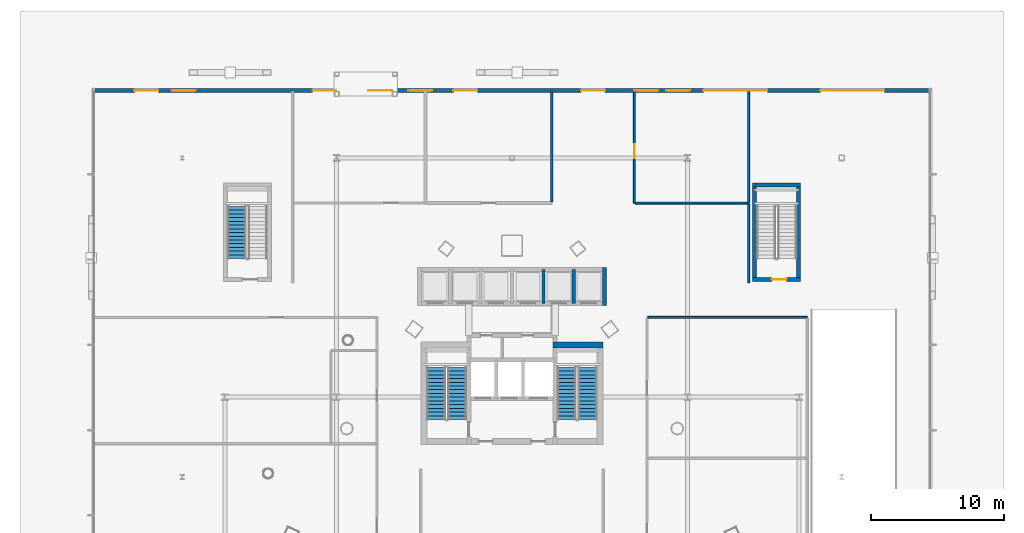
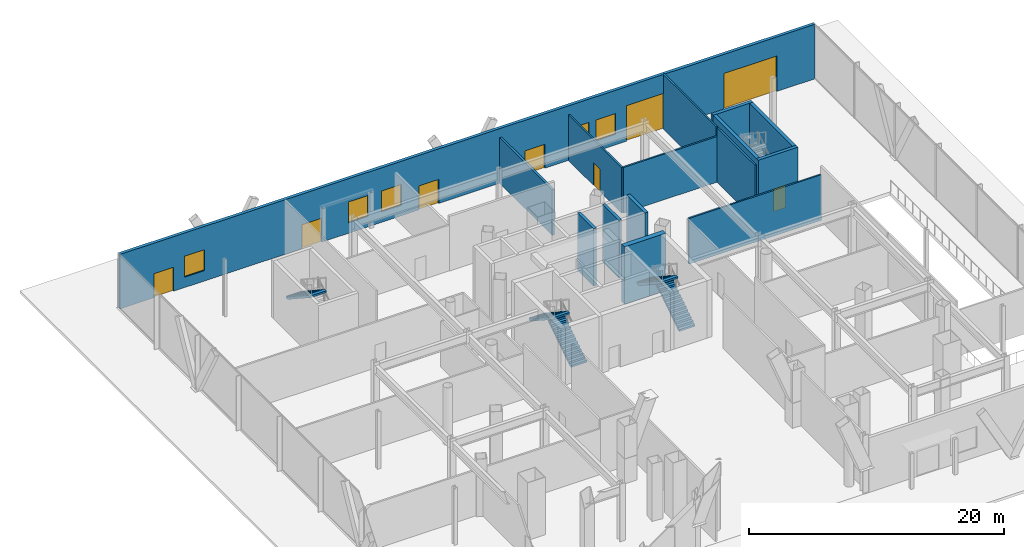
# One storey, part 29 of 38: 15 walls, 8 doors, 5 stair flights, 5 windows, 13 openings, 3 elements without a shape of their own.
"""IFC4 building model written with IfcOpenShell, lengths in metres."""

from ifc_helpers import new_model, si_unit, direction, frame, frame_2d, origin, place, context, subcontext, project, spatial, polyline, rectangle, outline, extrude, material, layer, layer_set, type_object, element, fill, aggregate, save


model = new_model("IFC4")

# Units and contexts
model_context = context("Model", 3, precision=1e-05, world=origin(), true_north=direction((0.0, 1.0)))
body_context = subcontext(model_context, "Body", "Model", "MODEL_VIEW")
ifc_project = project(units=[si_unit("LENGTHUNIT", "METRE"), si_unit("AREAUNIT", "SQUARE_METRE"), si_unit("VOLUMEUNIT", "CUBIC_METRE"), si_unit("PLANEANGLEUNIT", "RADIAN"), si_unit("MASSUNIT", "GRAM", prefix="KILO")], contexts=[model_context])

# Site, building, storey
site_placement = place(None, origin())
site = spatial("IfcSite", under=ifc_project, at=site_placement, CompositionType="ELEMENT")
building_placement = place(site_placement, origin())
building = spatial("IfcBuilding", under=site, at=building_placement, Name="Orvanel Arch Residences", CompositionType="ELEMENT")
storey_placement = place(building_placement, origin())
storey = spatial("IfcBuildingStorey", under=building, at=storey_placement, Name="L00", CompositionType="ELEMENT", Elevation=0.0)

# Wall, openings, doors, windows
ifc_material_1 = material(Name="Precast concrete N50 (50 MPa)", Category="concrete")
ifc_layer_1 = layer(ifc_material_1, 0.280029296875)
ifc_layer_set_1 = layer_set([ifc_layer_1], Name="Precast concrete N50 (50 MPa)")
wall_type_1 = type_object("IfcWallType", Name="EW-POD-280", PredefinedType="SOLIDWALL", material=ifc_layer_set_1)
wall_1_placement = place(storey_placement, frame((1.56005859375, 53.06005859375, 0.0), z_axis=(0.0, 0.0, 1.0), x_axis=(1.0, 0.0, 0.0)))
wall_1 = element("IfcWall", 1, at=wall_1_placement, inside=storey, type_object=wall_type_1, Name="L00 North Service Lane Facade Wall", PredefinedType="SOLIDWALL", context=body_context, shape_type="SweptSolid", body=[
    extrude(rectangle(XDim=62.8798828125, YDim=0.280029296875, at=frame_2d((31.43994140625, 0.0))), origin(), (0.0, 0.0, 1.0), 5.219970703125),
])
opening_1_placement = place(wall_1_placement, frame((3.0400390625, 0.0, 0.0)))
opening_1 = element("IfcOpeningElement", 2, at=opening_1_placement, cuts=wall_1, Name="Opening DE-180", PredefinedType="OPENING", context=body_context, shape_type="SweptSolid", body=[
    extrude(rectangle(XDim=1.800048828125, YDim=2.300048828125, at=frame_2d((0.89990234375, 1.14990234375))), frame((0.0, 0.14990234375, 0.0), z_axis=(0.0, -1.0, 0.0), x_axis=(1.0, 0.0, 0.0)), (0.0, 0.0, 1.0), 0.300048828125),
])
opening_2_placement = place(wall_1_placement, frame((16.43994140625, 0.0, 0.0)))
opening_2 = element("IfcOpeningElement", 3, at=opening_2_placement, cuts=wall_1, Name="Opening DE-180", PredefinedType="OPENING", context=body_context, shape_type="SweptSolid", body=[
    extrude(rectangle(XDim=1.800048828125, YDim=2.300048828125, at=frame_2d((0.89990234375, 1.14990234375))), frame((0.0, 0.14990234375, 0.0), z_axis=(0.0, -1.0, 0.0), x_axis=(1.0, 0.0, 0.0)), (0.0, 0.0, 1.0), 0.300048828125),
])
opening_3_placement = place(wall_1_placement, frame((27.0400390625, 0.0, 0.0)))
opening_3 = element("IfcOpeningElement", 4, at=opening_3_placement, cuts=wall_1, Name="Opening DE-180", PredefinedType="OPENING", context=body_context, shape_type="SweptSolid", body=[
    extrude(rectangle(XDim=1.800048828125, YDim=2.300048828125, at=frame_2d((0.89990234375, 1.14990234375))), frame((0.0, 0.14990234375, 0.0), z_axis=(0.0, -1.0, 0.0), x_axis=(1.0, 0.0, 0.0)), (0.0, 0.0, 1.0), 0.300048828125),
])
opening_4_placement = place(wall_1_placement, frame((36.639892578125, 0.0, 0.0)))
opening_4 = element("IfcOpeningElement", 5, at=opening_4_placement, cuts=wall_1, Name="Opening DE-180", PredefinedType="OPENING", context=body_context, shape_type="SweptSolid", body=[
    extrude(rectangle(XDim=1.800048828125, YDim=2.300048828125, at=frame_2d((0.89990234375, 1.14990234375))), frame((0.0, 0.14990234375, 0.0), z_axis=(0.0, -1.0, 0.0), x_axis=(1.0, 0.0, 0.0)), (0.0, 0.0, 1.0), 0.300048828125),
])
opening_5_placement = place(wall_1_placement, frame((45.840087890625, 0.0, 0.0)))
opening_5 = element("IfcOpeningElement", 6, at=opening_5_placement, cuts=wall_1, Name="Opening RS-480", PredefinedType="OPENING", context=body_context, shape_type="SweptSolid", body=[
    extrude(rectangle(XDim=4.800048828125, YDim=3.39990234375, at=frame_2d((2.39990234375, 1.699951171875))), frame((0.0, 0.14990234375, 0.0), z_axis=(0.0, -1.0, 0.0), x_axis=(1.0, 0.0, 0.0)), (0.0, 0.0, 1.0), 0.300048828125),
])
opening_6_placement = place(wall_1_placement, frame((54.639892578125, 0.0, 0.0)))
opening_6 = element("IfcOpeningElement", 7, at=opening_6_placement, cuts=wall_1, Name="Opening RS-480", PredefinedType="OPENING", context=body_context, shape_type="SweptSolid", body=[
    extrude(rectangle(XDim=4.800048828125, YDim=3.39990234375, at=frame_2d((2.39990234375, 1.699951171875))), frame((0.0, 0.14990234375, 0.0), z_axis=(0.0, -1.0, 0.0), x_axis=(1.0, 0.0, 0.0)), (0.0, 0.0, 1.0), 0.300048828125),
])
opening_7_placement = place(wall_1_placement, frame((5.840087890625, 0.0, 1.0)))
opening_7 = element("IfcOpeningElement", 8, at=opening_7_placement, cuts=wall_1, Name="Opening W-01", PredefinedType="OPENING", context=body_context, shape_type="SweptSolid", body=[
    extrude(rectangle(XDim=1.800048828125, YDim=2.0, at=frame_2d((0.89990234375, 1.0))), frame((0.0, 0.14990234375, 0.0), z_axis=(0.0, -1.0, 0.0), x_axis=(1.0, 0.0, 0.0)), (0.0, 0.0, 1.0), 0.300048828125),
])
opening_8_placement = place(wall_1_placement, frame((20.639892578125, 0.0, 1.0)))
opening_8 = element("IfcOpeningElement", 9, at=opening_8_placement, cuts=wall_1, Name="Opening W-01", PredefinedType="OPENING", context=body_context, shape_type="SweptSolid", body=[
    extrude(rectangle(XDim=1.800048828125, YDim=2.0, at=frame_2d((0.89990234375, 1.0))), frame((0.0, 0.14990234375, 0.0), z_axis=(0.0, -1.0, 0.0), x_axis=(1.0, 0.0, 0.0)), (0.0, 0.0, 1.0), 0.300048828125),
])
opening_9_placement = place(wall_1_placement, frame((23.639892578125, 0.0, 1.0)))
opening_9 = element("IfcOpeningElement", 10, at=opening_9_placement, cuts=wall_1, Name="Opening W-01", PredefinedType="OPENING", context=body_context, shape_type="SweptSolid", body=[
    extrude(rectangle(XDim=1.800048828125, YDim=2.0, at=frame_2d((0.89990234375, 1.0))), frame((0.0, 0.14990234375, 0.0), z_axis=(0.0, -1.0, 0.0), x_axis=(1.0, 0.0, 0.0)), (0.0, 0.0, 1.0), 0.300048828125),
])
opening_10_placement = place(wall_1_placement, frame((40.639892578125, 0.0, 1.0)))
opening_10 = element("IfcOpeningElement", 11, at=opening_10_placement, cuts=wall_1, Name="Opening W-01", PredefinedType="OPENING", context=body_context, shape_type="SweptSolid", body=[
    extrude(rectangle(XDim=1.800048828125, YDim=2.0, at=frame_2d((0.89990234375, 1.0))), frame((0.0, 0.14990234375, 0.0), z_axis=(0.0, -1.0, 0.0), x_axis=(1.0, 0.0, 0.0)), (0.0, 0.0, 1.0), 0.300048828125),
])
opening_11_placement = place(wall_1_placement, frame((43.0400390625, 0.0, 1.0)))
opening_11 = element("IfcOpeningElement", 12, at=opening_11_placement, cuts=wall_1, Name="Opening W-01", PredefinedType="OPENING", context=body_context, shape_type="SweptSolid", body=[
    extrude(rectangle(XDim=1.800048828125, YDim=2.0, at=frame_2d((0.89990234375, 1.0))), frame((0.0, 0.14990234375, 0.0), z_axis=(0.0, -1.0, 0.0), x_axis=(1.0, 0.0, 0.0)), (0.0, 0.0, 1.0), 0.300048828125),
])
ifc_material_2 = material(Name="Galvanised steel fire-resisting door assembly", Category="steel")
door_type_1 = type_object("IfcDoorType", Name="DR-SHU-4800", OperationType="NOTDEFINED", PredefinedType="GATE", material=ifc_material_2)
door_1_placement = place(opening_5_placement, origin())
door_1 = element("IfcDoor", 13, at=door_1_placement, inside=storey, type_object=door_type_1, Name="DR-L00-DOCK L00 Loading Dock Roller Shutter Gate", OperationType="ROLLINGUP", OverallHeight=3.39990234375, OverallWidth=4.800048828125, PredefinedType="GATE", context=body_context, shape_type="SweptSolid", body=[
    extrude(rectangle(XDim=4.800048828125, YDim=3.39990234375, at=frame_2d((2.39990234375, 1.699951171875))), frame((0.0, 0.02490234375, 0.0), z_axis=(0.0, -1.0, 0.0), x_axis=(1.0, 0.0, 0.0)), (0.0, 0.0, 1.0), 0.050048828125),
])
fill(opening_5, door_1)
door_2_placement = place(opening_6_placement, origin())
door_2 = element("IfcDoor", 14, at=door_2_placement, inside=storey, type_object=door_type_1, Name="DR-L00-RMP-GATE L00 Basement Car-Park Vehicle Ramp Exit Roller Shutter Gate", OperationType="ROLLINGUP", OverallHeight=3.39990234375, OverallWidth=4.800048828125, PredefinedType="GATE", context=body_context, shape_type="SweptSolid", body=[
    extrude(rectangle(XDim=4.800048828125, YDim=3.39990234375, at=frame_2d((2.39990234375, 1.699951171875))), frame((0.0, 0.02490234375, 0.0), z_axis=(0.0, -1.0, 0.0), x_axis=(1.0, 0.0, 0.0)), (0.0, 0.0, 1.0), 0.050048828125),
])
fill(opening_6, door_2)
door_type_2 = type_object("IfcDoorType", Name="DR-SVC-1800", OperationType="NOTDEFINED", PredefinedType="DOOR", material=ifc_material_2)
door_3_placement = place(opening_1_placement, origin())
door_3 = element("IfcDoor", 15, at=door_3_placement, inside=storey, type_object=door_type_2, Name="DR-L00-SVC4 L00 North-West Exit Discharge Door", OperationType="SINGLE_SWING_LEFT", OverallHeight=2.300048828125, OverallWidth=1.800048828125, PredefinedType="DOOR", context=body_context, shape_type="SweptSolid", body=[
    extrude(rectangle(XDim=1.800048828125, YDim=2.300048828125, at=frame_2d((0.89990234375, 1.14990234375))), frame((0.0, 0.02490234375, 0.0), z_axis=(0.0, -1.0, 0.0), x_axis=(1.0, 0.0, 0.0)), (0.0, 0.0, 1.0), 0.050048828125),
])
fill(opening_1, door_3)
door_4_placement = place(opening_2_placement, origin())
door_4 = element("IfcDoor", 16, at=door_4_placement, inside=storey, type_object=door_type_2, Name="DR-L00-SVC3 L00 Bicycle Store Street Entry Door", OperationType="SINGLE_SWING_RIGHT", OverallHeight=2.300048828125, OverallWidth=1.800048828125, PredefinedType="DOOR", context=body_context, shape_type="SweptSolid", body=[
    extrude(rectangle(XDim=1.800048828125, YDim=2.300048828125, at=frame_2d((0.89990234375, 1.14990234375))), frame((0.0, 0.02490234375, 0.0), z_axis=(0.0, -1.0, 0.0), x_axis=(1.0, 0.0, 0.0)), (0.0, 0.0, 1.0), 0.050048828125),
])
fill(opening_2, door_4)
door_5_placement = place(opening_3_placement, origin())
door_5 = element("IfcDoor", 17, at=door_5_placement, inside=storey, type_object=door_type_2, Name="DR-L00-SVC1 L00 Fire Command Centre Direct Street Door", OperationType="SINGLE_SWING_LEFT", OverallHeight=2.300048828125, OverallWidth=1.800048828125, PredefinedType="DOOR", context=body_context, shape_type="SweptSolid", body=[
    extrude(rectangle(XDim=1.800048828125, YDim=2.300048828125, at=frame_2d((0.89990234375, 1.14990234375))), frame((0.0, 0.02490234375, 0.0), z_axis=(0.0, -1.0, 0.0), x_axis=(1.0, 0.0, 0.0)), (0.0, 0.0, 1.0), 0.050048828125),
])
fill(opening_3, door_5)
door_6_placement = place(opening_4_placement, origin())
door_6 = element("IfcDoor", 18, at=door_6_placement, inside=storey, type_object=door_type_2, Name="DR-L00-SVC2 L00 North Exit Passage Discharge Door", OperationType="SINGLE_SWING_RIGHT", OverallHeight=2.300048828125, OverallWidth=1.800048828125, PredefinedType="DOOR", context=body_context, shape_type="SweptSolid", body=[
    extrude(rectangle(XDim=1.800048828125, YDim=2.300048828125, at=frame_2d((0.89990234375, 1.14990234375))), frame((0.0, 0.02490234375, 0.0), z_axis=(0.0, -1.0, 0.0), x_axis=(1.0, 0.0, 0.0)), (0.0, 0.0, 1.0), 0.050048828125),
])
fill(opening_4, door_6)
ifc_material_3 = material(Name="Double-glazed solar-control low-E safety glass", Category="glass")
window_type = type_object("IfcWindowType", Name="WIN-POD-1800", PartitioningType="SINGLE_PANEL", PredefinedType="WINDOW", material=ifc_material_3)
window_1_placement = place(opening_7_placement, origin())
window_1 = element("IfcWindow", 19, at=window_1_placement, inside=storey, type_object=window_type, Name="L00 North Facade High-Level Window 1", OverallHeight=2.0, OverallWidth=1.800048828125, PartitioningType="SINGLE_PANEL", PredefinedType="WINDOW", context=body_context, shape_type="SweptSolid", body=[
    extrude(rectangle(XDim=1.800048828125, YDim=2.0, at=frame_2d((0.89990234375, 1.0))), frame((0.0, 0.030029296875, 0.0), z_axis=(0.0, -1.0, 0.0), x_axis=(1.0, 0.0, 0.0)), (0.0, 0.0, 1.0), 0.06005859375),
])
fill(opening_7, window_1)
window_2_placement = place(opening_8_placement, origin())
window_2 = element("IfcWindow", 20, at=window_2_placement, inside=storey, type_object=window_type, Name="L00 North Facade High-Level Window 2", OverallHeight=2.0, OverallWidth=1.800048828125, PartitioningType="SINGLE_PANEL", PredefinedType="WINDOW", context=body_context, shape_type="SweptSolid", body=[
    extrude(rectangle(XDim=1.800048828125, YDim=2.0, at=frame_2d((0.89990234375, 1.0))), frame((0.0, 0.030029296875, 0.0), z_axis=(0.0, -1.0, 0.0), x_axis=(1.0, 0.0, 0.0)), (0.0, 0.0, 1.0), 0.06005859375),
])
fill(opening_8, window_2)
window_3_placement = place(opening_9_placement, origin())
window_3 = element("IfcWindow", 21, at=window_3_placement, inside=storey, type_object=window_type, Name="L00 North Facade High-Level Window 3", OverallHeight=2.0, OverallWidth=1.800048828125, PartitioningType="SINGLE_PANEL", PredefinedType="WINDOW", context=body_context, shape_type="SweptSolid", body=[
    extrude(rectangle(XDim=1.800048828125, YDim=2.0, at=frame_2d((0.89990234375, 1.0))), frame((0.0, 0.030029296875, 0.0), z_axis=(0.0, -1.0, 0.0), x_axis=(1.0, 0.0, 0.0)), (0.0, 0.0, 1.0), 0.06005859375),
])
fill(opening_9, window_3)
window_4_placement = place(opening_10_placement, origin())
window_4 = element("IfcWindow", 22, at=window_4_placement, inside=storey, type_object=window_type, Name="L00 North Facade High-Level Window 4", OverallHeight=2.0, OverallWidth=1.800048828125, PartitioningType="SINGLE_PANEL", PredefinedType="WINDOW", context=body_context, shape_type="SweptSolid", body=[
    extrude(rectangle(XDim=1.800048828125, YDim=2.0, at=frame_2d((0.89990234375, 1.0))), frame((0.0, 0.030029296875, 0.0), z_axis=(0.0, -1.0, 0.0), x_axis=(1.0, 0.0, 0.0)), (0.0, 0.0, 1.0), 0.06005859375),
])
fill(opening_10, window_4)
window_5_placement = place(opening_11_placement, origin())
window_5 = element("IfcWindow", 23, at=window_5_placement, inside=storey, type_object=window_type, Name="L00 North Facade High-Level Window 5", OverallHeight=2.0, OverallWidth=1.800048828125, PartitioningType="SINGLE_PANEL", PredefinedType="WINDOW", context=body_context, shape_type="SweptSolid", body=[
    extrude(rectangle(XDim=1.800048828125, YDim=2.0, at=frame_2d((0.89990234375, 1.0))), frame((0.0, 0.030029296875, 0.0), z_axis=(0.0, -1.0, 0.0), x_axis=(1.0, 0.0, 0.0)), (0.0, 0.0, 1.0), 0.06005859375),
])
fill(opening_11, window_5)

# Walls
ifc_material_4 = material(Name="Concrete N50 (50 MPa)", Category="concrete")
ifc_layer_2 = layer(ifc_material_4, 0.25)
ifc_layer_set_2 = layer_set([ifc_layer_2], Name="Concrete N50 (50 MPa)")
wall_type_2 = type_object("IfcWallType", Name="SW-CORE-250", PredefinedType="SHEAR", material=ifc_layer_set_2)
for number, where, z_axis, x_axis, name in (
    (24, (35.375, 37.050048828125, 0.0), (0.0, 0.0, 1.0), (0.0, 1.0, 0.0), "L00 Passenger Lift Inter-Shaft Wall P64"),
    (25, (37.64990234375, 37.050048828125, 0.0), (0.0, 0.0, 1.0), (0.0, 1.0, 0.0), "L00 Passenger Lift Inter-Shaft Wall P42"),
):
    element("IfcWall", number, at=place(storey_placement, frame(where, z_axis=z_axis, x_axis=x_axis)), inside=storey, type_object=wall_type_2, Name=name, PredefinedType="SHEAR", context=body_context, shape_type="SweptSolid", body=[
        extrude(rectangle(XDim=2.550048828125, YDim=0.25, at=frame_2d((1.27490234375, 0.0))), origin(), (0.0, 0.0, 1.0), 5.5),
    ])
ifc_material_5 = material(Name="Concrete S80 (80 MPa)", Category="concrete")
ifc_layer_3 = layer(ifc_material_5, 0.300048828125)
ifc_layer_set_3 = layer_set([ifc_layer_3], Name="Concrete S80 (80 MPa)")
wall_type_3 = type_object("IfcWallType", Name="SW-CORE-300", PredefinedType="SHEAR", material=ifc_layer_set_3)
wall_2_placement = place(storey_placement, frame((39.949951171875, 36.89990234375, 0.0), z_axis=(0.0, 0.0, 1.0), x_axis=(0.0, 1.0, 0.0)))
element("IfcWall", 26, at=wall_2_placement, inside=storey, type_object=wall_type_3, Name="L00 Passenger Lift Bank East Shear Wall", PredefinedType="SHEAR", context=body_context, shape_type="SweptSolid", body=[
    extrude(rectangle(XDim=2.85009765625, YDim=0.300048828125, at=frame_2d((1.425048828125, 0.0))), origin(), (0.0, 0.0, 1.0), 5.5),
])
for number, where, z_axis, x_axis, name in (
    (27, (51.25, 38.699951171875, 0.0), (0.0, 0.0, 1.0), (0.0, 1.0, 0.0), "L00 ST4 West Shear Wall"),
    (28, (54.550048828125, 38.699951171875, 0.0), (0.0, 0.0, 1.0), (0.0, 1.0, 0.0), "L00 ST4 East Shear Wall"),
):
    element("IfcWall", number, at=place(storey_placement, frame(where, z_axis=z_axis, x_axis=x_axis)), inside=storey, type_object=wall_type_3, Name=name, PredefinedType="SHEAR", context=body_context, shape_type="SweptSolid", body=[
        extrude(rectangle(XDim=7.400146484375, YDim=0.300048828125, at=frame_2d((3.7001953125, 0.0))), origin(), (0.0, 0.0, 1.0), 5.5),
    ])
wall_3_placement = place(storey_placement, frame((51.10009765625, 45.949951171875, 0.0), z_axis=(0.0, 0.0, 1.0), x_axis=(1.0, 0.0, 0.0)))
element("IfcWall", 29, at=wall_3_placement, inside=storey, type_object=wall_type_3, Name="L00 ST4 North Shear Wall", PredefinedType="SHEAR", context=body_context, shape_type="SweptSolid", body=[
    extrude(rectangle(XDim=3.599853515625, YDim=0.300048828125, at=frame_2d((1.7998046875, 0.0))), origin(), (0.0, 0.0, 1.0), 5.5),
])

# Wall, opening, door
wall_4_placement = place(storey_placement, frame((54.699951171875, 38.85009765625, 0.0), z_axis=(0.0, 0.0, 1.0), x_axis=(-1.0, 0.0, 0.0)))
wall_4 = element("IfcWall", 30, at=wall_4_placement, inside=storey, type_object=wall_type_3, Name="L00 ST4 South Shear Wall", PredefinedType="SHEAR", context=body_context, shape_type="SweptSolid", body=[
    extrude(rectangle(XDim=3.599853515625, YDim=0.300048828125, at=frame_2d((1.7998046875, 0.0))), origin(), (0.0, 0.0, 1.0), 5.5),
])
opening_12_placement = place(wall_4_placement, frame((1.050048828125, 0.0, 0.0)))
opening_12 = element("IfcOpeningElement", 31, at=opening_12_placement, cuts=wall_4, Name="Opening DE-110", PredefinedType="OPENING", context=body_context, shape_type="SweptSolid", body=[
    extrude(rectangle(XDim=1.10009765625, YDim=2.14990234375, at=frame_2d((0.550048828125, 1.074951171875))), frame((0.0, 0.159912109375, 0.0), z_axis=(0.0, -1.0, 0.0), x_axis=(1.0, 0.0, 0.0)), (0.0, 0.0, 1.0), 0.320068359375),
])
door_type_3 = type_object("IfcDoorType", Name="DR-ESC-1100", OperationType="NOTDEFINED", PredefinedType="DOOR", material=ifc_material_2)
door_7_placement = place(opening_12_placement, origin())
door_7 = element("IfcDoor", 32, at=door_7_placement, inside=storey, type_object=door_type_3, Name="DR-L00-ST4 L00 ST4 Exit Door", OperationType="SINGLE_SWING_LEFT", OverallHeight=2.14990234375, OverallWidth=1.10009765625, PredefinedType="DOOR", context=body_context, shape_type="SweptSolid", body=[
    extrude(rectangle(XDim=1.10009765625, YDim=2.14990234375, at=frame_2d((0.550048828125, 1.074951171875))), frame((0.0, 0.02490234375, 0.0), z_axis=(0.0, -1.0, 0.0), x_axis=(1.0, 0.0, 0.0)), (0.0, 0.0, 1.0), 0.050048828125),
])
fill(opening_12, door_7)

# Walls
ifc_layer_4 = layer(ifc_material_5, 0.449951171875)
ifc_layer_set_4 = layer_set([ifc_layer_4], Name="Concrete S80 (80 MPa)")
wall_type_4 = type_object("IfcWallType", Name="SW-CORE-450", PredefinedType="SHEAR", material=ifc_layer_set_4)
wall_5_placement = place(storey_placement, frame((36.10009765625, 33.925048828125, 0.0), z_axis=(0.0, 0.0, 1.0), x_axis=(1.0, 0.0, 0.0)))
element("IfcWall", 33, at=wall_5_placement, inside=storey, type_object=wall_type_4, Name="L00 East Stair North Shear Wall", PredefinedType="SHEAR", context=body_context, shape_type="SweptSolid", body=[
    extrude(rectangle(XDim=3.75, YDim=0.449951171875, at=frame_2d((1.875, 0.0))), origin(), (0.0, 0.0, 1.0), 5.5),
])
ifc_material_6 = material(Name="Fire-rated plasterboard lined steel stud partition", Category="steel")
ifc_layer_5 = layer(ifc_material_6, 0.199951171875)
ifc_layer_set_5 = layer_set([ifc_layer_5], Name="Fire-rated plasterboard lined steel stud partition")
wall_type_5 = type_object("IfcWallType", Name="W-PLT-200", PredefinedType="PARTITIONING", material=ifc_layer_set_5)
wall_6_placement = place(storey_placement, frame((36.0, 44.68505859375, 0.0), z_axis=(0.0, 0.0, 1.0), x_axis=(0.0, 1.0, 0.0)))
element("IfcWall", 34, at=wall_6_placement, inside=storey, type_object=wall_type_5, Name="L00 FCC East Wall", PredefinedType="PARTITIONING", context=body_context, shape_type="SweptSolid", body=[
    extrude(rectangle(XDim=8.31494140625, YDim=0.199951171875, at=frame_2d((4.157470703125, 0.0))), origin(), (0.0, 0.0, 1.0), 4.368896484375),
])
ifc_material_7 = material(Name="Acoustic plasterboard lined twin-stud partition", Category="gypsum")
ifc_layer_6 = layer(ifc_material_7, 0.14990234375)
ifc_layer_set_6 = layer_set([ifc_layer_6], Name="Acoustic plasterboard lined twin-stud partition")
wall_type_6 = type_object("IfcWallType", Name="W-POD-150", PredefinedType="PARTITIONING", material=ifc_layer_set_6)
wall_7_placement = place(storey_placement, frame((43.2099609375, 36.0, 0.0), z_axis=(0.0, 0.0, 1.0), x_axis=(1.0, 0.0, 0.0)))
element("IfcWall", 35, at=wall_7_placement, inside=storey, type_object=wall_type_6, Name="L00 East Suite North Wall", PredefinedType="PARTITIONING", context=body_context, shape_type="SweptSolid", body=[
    extrude(rectangle(XDim=11.989990234375, YDim=0.14990234375, at=frame_2d((5.9951171875, 0.0))), origin(), (0.0, 0.0, 1.0), 4.368896484375),
])

# Wall, opening, door
wall_8_placement = place(storey_placement, frame((42.199951171875, 44.60009765625, 0.0), z_axis=(0.0, 0.0, 1.0), x_axis=(0.0, 1.0, 0.0)))
wall_8 = element("IfcWall", 36, at=wall_8_placement, inside=storey, type_object=wall_type_6, Name="L00 Loading West Wall", PredefinedType="PARTITIONING", context=body_context, shape_type="SweptSolid", body=[
    extrude(rectangle(XDim=8.39990234375, YDim=0.14990234375, at=frame_2d((4.199951171875, 0.0))), origin(), (0.0, 0.0, 1.0), 4.368896484375),
])
opening_13_placement = place(wall_8_placement, frame((3.375, 0.0, 0.0)))
opening_13 = element("IfcOpeningElement", 37, at=opening_13_placement, cuts=wall_8, Name="Opening DF-060", PredefinedType="OPENING", context=body_context, shape_type="SweptSolid", body=[
    extrude(rectangle(XDim=1.050048828125, YDim=2.14990234375, at=frame_2d((0.52490234375, 1.074951171875))), frame((0.0, 0.0849609375, 0.0), z_axis=(0.0, -1.0, 0.0), x_axis=(1.0, 0.0, 0.0)), (0.0, 0.0, 1.0), 0.169921875),
])
door_type_4 = type_object("IfcDoorType", Name="DR-FD60-1050", OperationType="NOTDEFINED", PredefinedType="DOOR", material=ifc_material_2)
door_8_placement = place(opening_13_placement, origin())
door_8 = element("IfcDoor", 38, at=door_8_placement, inside=storey, type_object=door_type_4, Name="DR-L00-LOAD L00 Loading Dock Door", OperationType="SINGLE_SWING_RIGHT", OverallHeight=2.14990234375, OverallWidth=1.050048828125, PredefinedType="DOOR", context=body_context, shape_type="SweptSolid", body=[
    extrude(rectangle(XDim=1.050048828125, YDim=2.14990234375, at=frame_2d((0.52490234375, 1.074951171875))), frame((0.0, 0.02490234375, 0.0), z_axis=(0.0, -1.0, 0.0), x_axis=(1.0, 0.0, 0.0)), (0.0, 0.0, 1.0), 0.050048828125),
])
fill(opening_13, door_8)

# Walls
wall_9_placement = place(storey_placement, frame((42.260009765625, 44.60009765625, 0.0), z_axis=(0.0, 0.0, 1.0), x_axis=(1.0, 0.0, 0.0)))
element("IfcWall", 39, at=wall_9_placement, inside=storey, type_object=wall_type_6, Name="L00 Loading South Wall", PredefinedType="PARTITIONING", context=body_context, shape_type="SweptSolid", body=[
    extrude(rectangle(XDim=8.5400390625, YDim=0.14990234375, at=frame_2d((4.27001953125, 0.0))), origin(), (0.0, 0.0, 1.0), 4.368896484375),
])
wall_10_placement = place(storey_placement, frame((50.800048828125, 38.60009765625, 0.0), z_axis=(0.0, 0.0, 1.0), x_axis=(0.0, 1.0, 0.0)))
element("IfcWall", 40, at=wall_10_placement, inside=storey, type_object=wall_type_6, Name="L00 Loading East Wall", PredefinedType="PARTITIONING", context=body_context, shape_type="SweptSolid", body=[
    extrude(rectangle(XDim=5.93994140625, YDim=0.14990234375, at=frame_2d((2.969970703125, 0.0))), origin(), (0.0, 0.0, 1.0), 5.219970703125),
])
wall_11_placement = place(storey_placement, frame((50.800048828125, 44.659912109375, 0.0), z_axis=(0.0, 0.0, 1.0), x_axis=(0.0, 1.0, 0.0)))
element("IfcWall", 41, at=wall_11_placement, inside=storey, type_object=wall_type_6, Name="L00 Loading East Wall", PredefinedType="PARTITIONING", context=body_context, shape_type="SweptSolid", body=[
    extrude(rectangle(XDim=8.340087890625, YDim=0.14990234375, at=frame_2d((4.169921875, 0.0))), origin(), (0.0, 0.0, 1.0), 5.219970703125),
])

# Stair, stair flights
stair_type = type_object("IfcStairType", Name="STR-DOG-184", PredefinedType="USERDEFINED", material=ifc_material_1)
stair_1_placement = place(storey_placement, origin())
stair_1 = element("IfcStair", 42, at=stair_1_placement, inside=storey, type_object=stair_type, Name="L00 Fire-Isolated Core Exit Stair 1", ObjectType="TWO_RETURN_STAIR", PredefinedType="USERDEFINED")
stair_flight_type_1 = type_object("IfcStairFlightType", Name="SFL-C1-184", PredefinedType="STRAIGHT", material=ifc_material_1)
stair_flight_1_placement = place(storey_placement, frame((28.889892578125, 28.320068359375, 0.0), z_axis=(0.0, 0.0, 1.0), x_axis=(0.0, 1.0, 0.0)))
stair_flight_1 = element("IfcStairFlight", 43, at=stair_flight_1_placement, type_object=stair_flight_type_1, Name="ST-1 flight 1", NumberOfRisers=15, NumberOfTreads=14, PredefinedType="STRAIGHT", RiserHeight=0.183333333, TreadLength=0.28, context=body_context, shape_type="SweptSolid", body=[
    extrude(outline(polyline([(0.0, 0.0), (0.0, 0.183349609375), (0.280029296875, 0.183349609375), (0.280029296875, 0.36669921875), (0.56005859375, 0.36669921875), (0.56005859375, 0.550048828125), (0.840087890625, 0.550048828125), (0.840087890625, 0.7333984375), (1.1201171875, 0.7333984375), (1.1201171875, 0.916748046875), (1.39990234375, 0.916748046875), (1.39990234375, 1.10009765625), (1.679931640625, 1.10009765625), (1.679931640625, 1.283447265625), (1.9599609375, 1.283447265625), (1.9599609375, 1.466552734375), (2.239990234375, 1.466552734375), (2.239990234375, 1.64990234375), (2.52001953125, 1.64990234375), (2.52001953125, 1.833251953125), (2.800048828125, 1.833251953125), (2.800048828125, 2.0166015625), (3.080078125, 2.0166015625), (3.080078125, 2.199951171875), (3.360107421875, 2.199951171875), (3.360107421875, 2.38330078125), (3.639892578125, 2.38330078125), (3.639892578125, 2.566650390625), (3.919921875, 2.566650390625), (3.919921875, 2.75), (3.919921875, 2.387451171875), (0.273681640625, 0.0), (0.0, 0.0)])), frame((0.0, 0.7099609375, 0.0), z_axis=(0.0, -1.0, 0.0), x_axis=(1.0, 0.0, 0.0)), (0.0, 0.0, 1.0), 1.419921875),
])
stair_flight_2_placement = place(storey_placement, frame((27.31005859375, 32.239990234375, 2.75), z_axis=(0.0, 0.0, 1.0), x_axis=(0.0, -1.0, 0.0)))
stair_flight_2 = element("IfcStairFlight", 44, at=stair_flight_2_placement, type_object=stair_flight_type_1, Name="ST-1 flight 2", NumberOfRisers=15, NumberOfTreads=14, PredefinedType="STRAIGHT", RiserHeight=0.183333333, TreadLength=0.28, context=body_context, shape_type="SweptSolid", body=[
    extrude(outline(polyline([(0.0, 0.0), (0.0, 0.183349609375), (0.280029296875, 0.183349609375), (0.280029296875, 0.36669921875), (0.56005859375, 0.36669921875), (0.56005859375, 0.550048828125), (0.840087890625, 0.550048828125), (0.840087890625, 0.7333984375), (1.1201171875, 0.7333984375), (1.1201171875, 0.916748046875), (1.39990234375, 0.916748046875), (1.39990234375, 1.10009765625), (1.679931640625, 1.10009765625), (1.679931640625, 1.283447265625), (1.9599609375, 1.283447265625), (1.9599609375, 1.466552734375), (2.239990234375, 1.466552734375), (2.239990234375, 1.64990234375), (2.52001953125, 1.64990234375), (2.52001953125, 1.833251953125), (2.800048828125, 1.833251953125), (2.800048828125, 2.0166015625), (3.080078125, 2.0166015625), (3.080078125, 2.199951171875), (3.360107421875, 2.199951171875), (3.360107421875, 2.38330078125), (3.639892578125, 2.38330078125), (3.639892578125, 2.566650390625), (3.919921875, 2.566650390625), (3.919921875, 2.75), (3.919921875, 2.387451171875), (0.273681640625, 0.0), (0.0, 0.0)])), frame((0.0, 0.7099609375, 0.0), z_axis=(0.0, -1.0, 0.0), x_axis=(1.0, 0.0, 0.0)), (0.0, 0.0, 1.0), 1.419921875),
])
aggregate(stair_1, [stair_flight_1, stair_flight_2])

stair_2_placement = place(storey_placement, origin())
stair_2 = element("IfcStair", 45, at=stair_2_placement, inside=storey, type_object=stair_type, Name="L00 Fire-Isolated Core Exit Stair 2", ObjectType="TWO_RETURN_STAIR", PredefinedType="USERDEFINED")
stair_flight_type_2 = type_object("IfcStairFlightType", Name="SFL-C2-184", PredefinedType="STRAIGHT", material=ifc_material_1)
stair_flight_3_placement = place(storey_placement, frame((38.68994140625, 28.320068359375, 0.0), z_axis=(0.0, 0.0, 1.0), x_axis=(0.0, 1.0, 0.0)))
stair_flight_3 = element("IfcStairFlight", 46, at=stair_flight_3_placement, type_object=stair_flight_type_2, Name="ST-2 flight 1", NumberOfRisers=15, NumberOfTreads=14, PredefinedType="STRAIGHT", RiserHeight=0.183333333, TreadLength=0.28, context=body_context, shape_type="SweptSolid", body=[
    extrude(outline(polyline([(0.0, 0.0), (0.0, 0.183349609375), (0.280029296875, 0.183349609375), (0.280029296875, 0.36669921875), (0.56005859375, 0.36669921875), (0.56005859375, 0.550048828125), (0.840087890625, 0.550048828125), (0.840087890625, 0.7333984375), (1.1201171875, 0.7333984375), (1.1201171875, 0.916748046875), (1.39990234375, 0.916748046875), (1.39990234375, 1.10009765625), (1.679931640625, 1.10009765625), (1.679931640625, 1.283447265625), (1.9599609375, 1.283447265625), (1.9599609375, 1.466552734375), (2.239990234375, 1.466552734375), (2.239990234375, 1.64990234375), (2.52001953125, 1.64990234375), (2.52001953125, 1.833251953125), (2.800048828125, 1.833251953125), (2.800048828125, 2.0166015625), (3.080078125, 2.0166015625), (3.080078125, 2.199951171875), (3.360107421875, 2.199951171875), (3.360107421875, 2.38330078125), (3.639892578125, 2.38330078125), (3.639892578125, 2.566650390625), (3.919921875, 2.566650390625), (3.919921875, 2.75), (3.919921875, 2.387451171875), (0.273681640625, 0.0), (0.0, 0.0)])), frame((0.0, 0.7099609375, 0.0), z_axis=(0.0, -1.0, 0.0), x_axis=(1.0, 0.0, 0.0)), (0.0, 0.0, 1.0), 1.419921875),
])
stair_flight_4_placement = place(storey_placement, frame((37.110107421875, 32.239990234375, 2.75), z_axis=(0.0, 0.0, 1.0), x_axis=(0.0, -1.0, 0.0)))
stair_flight_4 = element("IfcStairFlight", 47, at=stair_flight_4_placement, type_object=stair_flight_type_2, Name="ST-2 flight 2", NumberOfRisers=15, NumberOfTreads=14, PredefinedType="STRAIGHT", RiserHeight=0.183333333, TreadLength=0.28, context=body_context, shape_type="SweptSolid", body=[
    extrude(outline(polyline([(0.0, 0.0), (0.0, 0.183349609375), (0.280029296875, 0.183349609375), (0.280029296875, 0.36669921875), (0.56005859375, 0.36669921875), (0.56005859375, 0.550048828125), (0.840087890625, 0.550048828125), (0.840087890625, 0.7333984375), (1.1201171875, 0.7333984375), (1.1201171875, 0.916748046875), (1.39990234375, 0.916748046875), (1.39990234375, 1.10009765625), (1.679931640625, 1.10009765625), (1.679931640625, 1.283447265625), (1.9599609375, 1.283447265625), (1.9599609375, 1.466552734375), (2.239990234375, 1.466552734375), (2.239990234375, 1.64990234375), (2.52001953125, 1.64990234375), (2.52001953125, 1.833251953125), (2.800048828125, 1.833251953125), (2.800048828125, 2.0166015625), (3.080078125, 2.0166015625), (3.080078125, 2.199951171875), (3.360107421875, 2.199951171875), (3.360107421875, 2.38330078125), (3.639892578125, 2.38330078125), (3.639892578125, 2.566650390625), (3.919921875, 2.566650390625), (3.919921875, 2.75), (3.919921875, 2.387451171875), (0.273681640625, 0.0), (0.0, 0.0)])), frame((0.0, 0.7099609375, 0.0), z_axis=(0.0, -1.0, 0.0), x_axis=(1.0, 0.0, 0.0)), (0.0, 0.0, 1.0), 1.419921875),
])
aggregate(stair_2, [stair_flight_3, stair_flight_4])

# Stair, stair flight
stair_3_placement = place(storey_placement, origin())
stair_3 = element("IfcStair", 48, at=stair_3_placement, inside=storey, type_object=stair_type, Name="L00 West Podium Fire-Isolated Exit Stair 3", ObjectType="TWO_RETURN_STAIR", PredefinedType="USERDEFINED")
stair_flight_type_3 = type_object("IfcStairFlightType", Name="SFL-C3-184", PredefinedType="STRAIGHT", material=ifc_material_1)
stair_flight_5_placement = place(storey_placement, frame((12.31005859375, 44.340087890625, 2.75), z_axis=(0.0, 0.0, 1.0), x_axis=(0.0, -1.0, 0.0)))
stair_flight_5 = element("IfcStairFlight", 49, at=stair_flight_5_placement, type_object=stair_flight_type_3, Name="ST-3 flight 2", NumberOfRisers=15, NumberOfTreads=14, PredefinedType="STRAIGHT", RiserHeight=0.183333333, TreadLength=0.28, context=body_context, shape_type="SweptSolid", body=[
    extrude(outline(polyline([(0.0, 0.0), (0.0, 0.183349609375), (0.280029296875, 0.183349609375), (0.280029296875, 0.36669921875), (0.56005859375, 0.36669921875), (0.56005859375, 0.550048828125), (0.840087890625, 0.550048828125), (0.840087890625, 0.7333984375), (1.1201171875, 0.7333984375), (1.1201171875, 0.916748046875), (1.39990234375, 0.916748046875), (1.39990234375, 1.10009765625), (1.679931640625, 1.10009765625), (1.679931640625, 1.283447265625), (1.9599609375, 1.283447265625), (1.9599609375, 1.466552734375), (2.239990234375, 1.466552734375), (2.239990234375, 1.64990234375), (2.52001953125, 1.64990234375), (2.52001953125, 1.833251953125), (2.800048828125, 1.833251953125), (2.800048828125, 2.0166015625), (3.080078125, 2.0166015625), (3.080078125, 2.199951171875), (3.360107421875, 2.199951171875), (3.360107421875, 2.38330078125), (3.639892578125, 2.38330078125), (3.639892578125, 2.566650390625), (3.919921875, 2.566650390625), (3.919921875, 2.75), (3.919921875, 2.387451171875), (0.273681640625, 0.0), (0.0, 0.0)])), frame((0.0, 0.7099609375, 0.0), z_axis=(0.0, -1.0, 0.0), x_axis=(1.0, 0.0, 0.0)), (0.0, 0.0, 1.0), 1.419921875),
])
aggregate(stair_3, [stair_flight_5])

save(model, "model.ifc")
